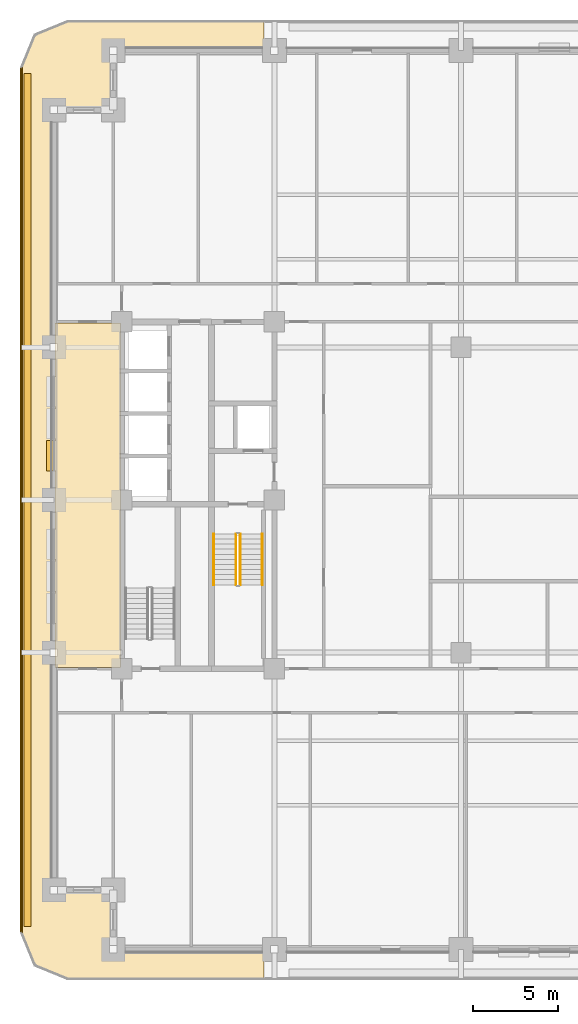
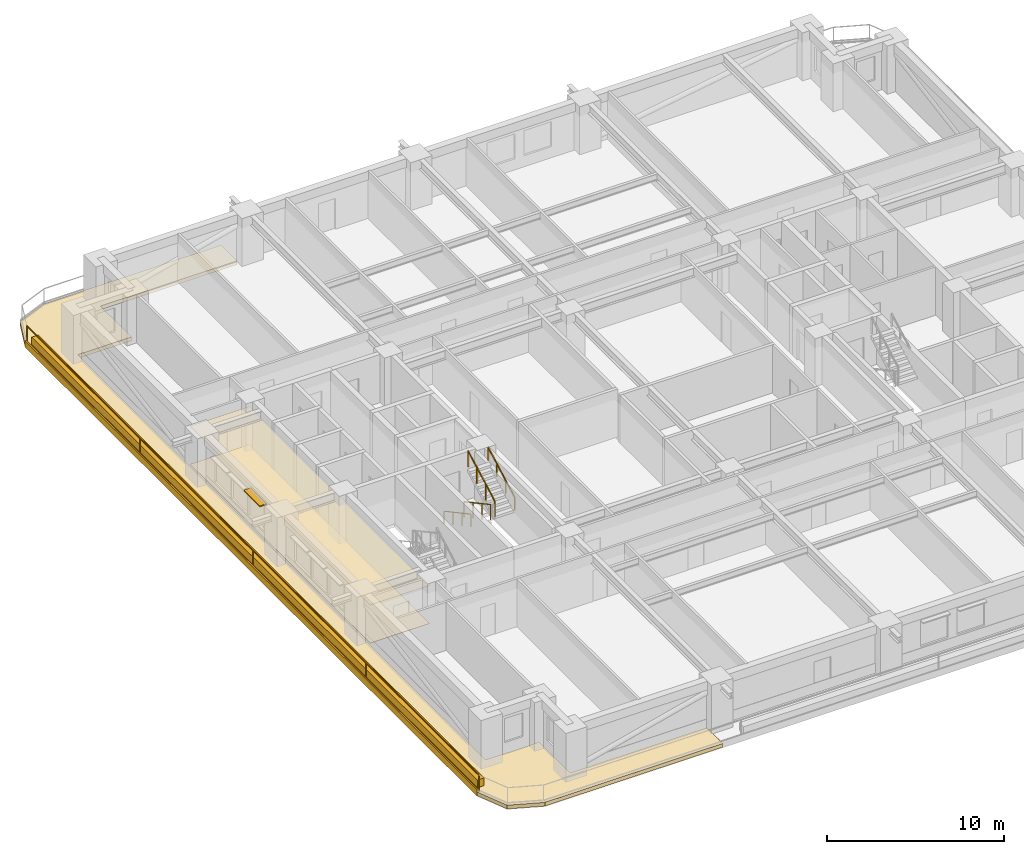
# One storey, part 10 of 15: 5 coverings, 5 railings, 1 shading device.
"""IFC4 building model written with IfcOpenShell, lengths in metres."""

import ifcopenshell
import ifcopenshell.guid

model = None  # the IFC model being written
_history = None  # IfcOwnerHistory: only IFC2X3 demands one
_inside = {}  # id of a spatial element -> (the spatial element, [elements in it])
_under = {}  # id of a project, library or spatial element -> (it, [spatial elements below it])
_declared = {}  # id of a project -> (the project, [libraries it declares])
_typed = {}  # id of a type object -> (the type object, [elements of that type])
_made_of = {}  # id of a material, layer set ... -> (it, [elements and type objects made of it])


def new_model(schema):
    """Start an empty IFC model of exactly this schema.

    Asked for "IFC4X3", IfcOpenShell would pick the latest addendum, in which some entities
    have other attributes; the version numbers below select the first issue.
    IFC2X3 requires an IfcOwnerHistory on every rooted entity: one is made here for all.
    """
    global model, _history
    if schema == "IFC4X3":
        model = ifcopenshell.file(schema_version=(4, 3, 0, 0))
    else:
        model = ifcopenshell.file(schema=schema)
    _inside.clear()
    _under.clear()
    _declared.clear()
    _typed.clear()
    _made_of.clear()
    _history = None
    if model.schema == "IFC2X3":
        org = make("IfcOrganization", Name="unknown")
        user = make(
            "IfcPersonAndOrganization",
            ThePerson=make("IfcPerson", FamilyName="unknown"),
            TheOrganization=org,
        )
        app = make(
            "IfcApplication",
            ApplicationDeveloper=org,
            Version="unknown",
            ApplicationFullName="unknown",
            ApplicationIdentifier="unknown",
        )
        _history = make(
            "IfcOwnerHistory",
            OwningUser=user,
            OwningApplication=app,
            ChangeAction="ADDED",
            CreationDate=0,
        )
    return model


def make(cls, **values):
    """One entity of the class cls with the attributes given. An attribute that is None is left unset."""
    return model.create_entity(
        cls, **{name: value for name, value in values.items() if value is not None}
    )


def rooted(cls, **values):
    """An entity with a GlobalId (a new one), such as an element, a storey or a relation."""
    return make(cls, GlobalId=ifcopenshell.guid.new(), OwnerHistory=_history, **values)


def si_unit(unit_type, name, prefix=None):
    """IfcSIUnit, for example si_unit("LENGTHUNIT", "METRE", prefix="MILLI")."""
    return make("IfcSIUnit", UnitType=unit_type, Prefix=prefix, Name=name)


def assignment(units):
    """IfcUnitAssignment: the units of a project."""
    return None if units is None else make("IfcUnitAssignment", Units=units)


def point(xyz):
    """IfcCartesianPoint."""
    return None if xyz is None else make("IfcCartesianPoint", Coordinates=xyz)


def direction(xyz):
    """IfcDirection."""
    return None if xyz is None else make("IfcDirection", DirectionRatios=xyz)


def frame(location, z_axis=None, x_axis=None):
    """IfcAxis2Placement3D, a coordinate frame: its origin and axes. An axis left out is left unset."""
    return make(
        "IfcAxis2Placement3D",
        Location=point(location),
        Axis=direction(z_axis),
        RefDirection=direction(x_axis),
    )


def frame_2d(location, x_axis=None):
    """IfcAxis2Placement2D, a coordinate frame in the plane: its origin and x axis."""
    return make(
        "IfcAxis2Placement2D", Location=point(location), RefDirection=direction(x_axis)
    )


def origin():
    """The frame at (0, 0, 0) with its axes left unset."""
    return frame((0.0, 0.0, 0.0))


def origin_2d():
    """The frame at (0, 0) in the plane with its x axis left unset."""
    return frame_2d((0.0, 0.0))


def place(relative_to, where):
    """IfcLocalPlacement: puts the frame where relative to a parent placement (None: the world)."""
    return make(
        "IfcLocalPlacement", PlacementRelTo=relative_to, RelativePlacement=where
    )


def context(
    kind, dimensions, precision=None, world=None, true_north=None, identifier=None
):
    """IfcGeometricRepresentationContext, for example the 3D "Model" context."""
    return make(
        "IfcGeometricRepresentationContext",
        ContextIdentifier=identifier,
        ContextType=kind,
        CoordinateSpaceDimension=dimensions,
        Precision=precision,
        WorldCoordinateSystem=world,
        TrueNorth=true_north,
    )


def subcontext(parent, identifier, kind, view, scale=None):
    """IfcGeometricRepresentationSubContext, for example "Body" below "Model"."""
    return make(
        "IfcGeometricRepresentationSubContext",
        ContextIdentifier=identifier,
        ContextType=kind,
        ParentContext=parent,
        TargetScale=scale,
        TargetView=view,
    )


def project(units=None, contexts=None):
    """IfcProject with its units and contexts."""
    return rooted(
        "IfcProject",
        Name="project",
        RepresentationContexts=contexts,
        UnitsInContext=assignment(units),
    )


def spatial(cls, under=None, at=None, **own):
    """A site, building, storey or space (cls), placed at a placement, below another one or the project."""
    s = rooted(cls, ObjectPlacement=at, **own)
    if under is not None:
        _under.setdefault(under.id(), (under, []))[1].append(s)
    return s


def polyline(points):
    """IfcPolyline through the points."""
    return make("IfcPolyline", Points=[point(p) for p in points])


def profile(cls, at=None, kind="AREA", **sizes):
    """A parametric profile (cls). Its sizes go by their IFC names, for example OverallWidth=200.0."""
    return make(cls, ProfileType=kind, Position=at, **sizes)


def rectangle(**sizes):
    """IfcRectangleProfileDef."""
    return profile("IfcRectangleProfileDef", **sizes)


def outline(outer, holes=None, kind="AREA"):
    """IfcArbitraryClosedProfileDef: a profile drawn as a closed curve; with holes, ...WithVoids."""
    if holes is None:
        return make("IfcArbitraryClosedProfileDef", ProfileType=kind, OuterCurve=outer)
    return make(
        "IfcArbitraryProfileDefWithVoids",
        ProfileType=kind,
        OuterCurve=outer,
        InnerCurves=holes,
    )


def extrude(swept, where, along, depth):
    """IfcExtrudedAreaSolid: the profile swept, set in the frame where, extruded along a direction by depth."""
    return make(
        "IfcExtrudedAreaSolid",
        SweptArea=swept,
        Position=where,
        ExtrudedDirection=direction(along),
        Depth=depth,
    )


def shape(context_of_items, identifier, shape_type, items):
    """IfcShapeRepresentation: the items that make up one representation, for example the "Body"."""
    return make(
        "IfcShapeRepresentation",
        ContextOfItems=context_of_items,
        RepresentationIdentifier=identifier,
        RepresentationType=shape_type,
        Items=items,
    )


def material(Name=None, Category=None):
    """IfcMaterial."""
    return make("IfcMaterial", Name=Name, Category=Category)


def layer(
    of_material, thickness, ventilated=None, Name=None, Category=None, Priority=None
):
    """IfcMaterialLayer: one layer of a wall or slab, of a material (None: an air gap)."""
    return make(
        "IfcMaterialLayer",
        Material=of_material,
        LayerThickness=thickness,
        IsVentilated=ventilated,
        Name=Name,
        Category=Category,
        Priority=Priority,
    )


def layer_set(layers, Name=None):
    """IfcMaterialLayerSet."""
    return make("IfcMaterialLayerSet", MaterialLayers=layers, LayerSetName=Name)


def made_of(thing, what):
    """Note that an element or type object is made of a material, layer set ...; save() writes the relation."""
    if what is not None:
        _made_of.setdefault(what.id(), (what, []))[1].append(thing)
    return thing


def type_object(cls, material=None, **own):
    """A type object (cls), such as IfcWallType, which elements share."""
    return made_of(rooted(cls, **own), material)


def element(
    cls,
    number,
    at=None,
    inside=None,
    cuts=None,
    type_object=None,
    material=None,
    context=None,
    identifier="Body",
    shape_type=None,
    held_by="IfcProductDefinitionShape",
    body=None,
    shapes=None,
    **own,
):
    """One element of the class cls, such as IfcWall. Its Tag is "e" and its number.

    at: its placement. inside: the storey or other place that contains it. cuts: it is an
    opening in that element (IfcRelVoidsElement). A single representation is given by context,
    identifier, shape_type and body (its items); several are given by shapes. held_by: the class
    of the entity that holds the representations. save() writes the other relations.
    """
    e = rooted(cls, Tag="e%d" % number, ObjectPlacement=at, **own)
    if body is not None:
        shapes = [shape(context, identifier, shape_type, body)]
    if shapes is not None:
        e.Representation = make(held_by, Representations=shapes)
    if inside is not None:
        _inside.setdefault(inside.id(), (inside, []))[1].append(e)
    if cuts is not None:
        rooted(
            "IfcRelVoidsElement", RelatingBuildingElement=cuts, RelatedOpeningElement=e
        )
    if type_object is not None:
        _typed.setdefault(type_object.id(), (type_object, []))[1].append(e)
    return made_of(e, material)


def aggregate(whole, parts):
    """IfcRelAggregates: a whole, such as a stair, and the parts it consists of."""
    return rooted("IfcRelAggregates", RelatingObject=whole, RelatedObjects=parts)


def save(model, path):
    """Write the relations noted so far, then the file.

    IfcRelAggregates (storeys below a building ...), IfcRelContainedInSpatialStructure (elements
    in a storey), IfcRelDefinesByType, IfcRelAssociatesMaterial and IfcRelDeclares: one each for
    every whole, place, type object, material and project.
    """
    for whole, parts in _under.values():
        aggregate(whole, parts)
    for where, things in _inside.values():
        rooted(
            "IfcRelContainedInSpatialStructure",
            RelatedElements=things,
            RelatingStructure=where,
        )
    for kind, things in _typed.values():
        rooted("IfcRelDefinesByType", RelatedObjects=things, RelatingType=kind)
    for what, things in _made_of.values():
        rooted("IfcRelAssociatesMaterial", RelatedObjects=things, RelatingMaterial=what)
    for by, libraries in _declared.values():
        rooted("IfcRelDeclares", RelatingContext=by, RelatedDefinitions=libraries)
    model.write(path)


model = new_model("IFC4")

# Units and contexts
model_context = context("Model", 3, precision=1e-05, world=origin(), true_north=direction((0.0, 1.0)))
body_context = subcontext(model_context, "Body", "Model", "MODEL_VIEW")
ifc_project = project(units=[si_unit("LENGTHUNIT", "METRE"), si_unit("AREAUNIT", "SQUARE_METRE"), si_unit("VOLUMEUNIT", "CUBIC_METRE"), si_unit("PLANEANGLEUNIT", "RADIAN"), si_unit("MASSUNIT", "GRAM", prefix="KILO")], contexts=[model_context])

# Site, building, storey
site_placement = place(None, origin())
site = spatial("IfcSite", under=ifc_project, at=site_placement, CompositionType="ELEMENT")
building_placement = place(site_placement, origin())
building = spatial("IfcBuilding", under=site, at=building_placement, Name="Zulmaris Gate Convention Tower", CompositionType="ELEMENT")
storey_placement = place(building_placement, frame((0.0, 0.0, 37.909912109375)))
storey = spatial("IfcBuildingStorey", under=building, at=storey_placement, Name="L08", CompositionType="ELEMENT", Elevation=37.909912109375)

# Coverings
ifc_material_1 = material(Name="White Glazed Architectural Precast Concrete C40/50", Category="concrete")
ifc_layer_1 = layer(ifc_material_1, 0.239990234375, Name="White Glazed Architectural Precast Concrete C40/50")
ifc_layer_set_1 = layer_set([ifc_layer_1], Name="White Glazed Architectural Precast Concrete C40/50")
covering_type_1 = type_object("IfcCoveringType", Name="CLAD-TRAY-DECK", PredefinedType="CLADDING", material=ifc_layer_set_1)
covering_1_placement = place(storey_placement, frame((0.0, 0.0, -0.300048828125)))
element("IfcCovering", 1, at=covering_1_placement, inside=storey, type_object=covering_type_1, Name="L08 West Rounded-Fascia Planter Tray Deck", PredefinedType="CLADDING", context=body_context, shape_type="SweptSolid", body=[
    extrude(outline(polyline([(-26.0, 25.5), (-25.179931640625, 27.47998046875), (-23.199951171875, 28.300048828125), (-11.60205078125, 28.300048828125), (-11.60205078125, 26.5), (-20.5, 26.5), (-20.5, 23.0), (-24.0, 23.0), (-24.0, -23.0), (-20.5, -23.0), (-20.5, -26.5), (-11.60205078125, -26.5), (-11.60205078125, -28.300048828125), (-23.199951171875, -28.300048828125), (-25.179931640625, -27.47998046875), (-26.0, -25.5), (-26.0, 25.5)])), origin(), (0.0, 0.0, 1.0), 0.260009765625),
])
ifc_layer_2 = layer(ifc_material_1, 0.080078125, Name="White Glazed Architectural Precast Concrete C40/50")
ifc_layer_set_2 = layer_set([ifc_layer_2], Name="White Glazed Architectural Precast Concrete C40/50")
covering_type_2 = type_object("IfcCoveringType", Name="CLAD-TRAY-FASCIA", PredefinedType="CLADDING", material=ifc_layer_set_2)
covering_2_placement = place(storey_placement, frame((-25.9599609375, 25.5, -0.340087890625), z_axis=(0.0, 0.0, 1.0), x_axis=(0.0, -1.0, 0.0)))
element("IfcCovering", 2, at=covering_2_placement, inside=storey, type_object=covering_type_2, Name="FSC-L08-TR-11", PredefinedType="CLADDING", context=body_context, shape_type="SweptSolid", body=[
    extrude(rectangle(XDim=51.0, YDim=0.080078125, at=frame_2d((25.5, 0.0))), origin(), (0.0, 0.0, 1.0), 0.4599609375),
])
ifc_material_2 = material(Name="Mineral Fibre Acoustic Ceiling Tile")
ifc_layer_3 = layer(ifc_material_2, 0.02001953125, Name="Mineral Fibre Acoustic Ceiling Tile")
ifc_layer_set_3 = layer_set([ifc_layer_3], Name="Mineral Fibre Acoustic Ceiling Tile")
covering_type_3 = type_object("IfcCoveringType", Name="CLG-ACOUSTIC-600", PredefinedType="CEILING", material=ifc_layer_set_3)
covering_3_placement = place(storey_placement, frame((0.0, 0.0, 2.628173828125)))
element("IfcCovering", 3, at=covering_3_placement, inside=storey, type_object=covering_type_3, Name="CLG-L08-R55", PredefinedType="CEILING", context=body_context, shape_type="SweptSolid", body=[
    extrude(outline(polyline([(-23.93994140625, -9.889892578125), (-20.06005859375, -9.889892578125), (-20.06005859375, 10.43994140625), (-23.93994140625, 10.43994140625), (-23.93994140625, -9.889892578125)])), origin(), (0.0, 0.0, 1.0), 0.02001953125),
])
ifc_material_3 = material(Name="Woven Acoustic Wool Carpet Tile")
ifc_layer_4 = layer(ifc_material_3, 0.02001953125, Name="Woven Acoustic Wool Carpet Tile")
ifc_layer_set_4 = layer_set([ifc_layer_4], Name="Woven Acoustic Wool Carpet Tile")
covering_type_4 = type_object("IfcCoveringType", Name="FLR-CARPET-12", PredefinedType="FLOORING", material=ifc_layer_set_4)
covering_4_placement = place(storey_placement, origin())
element("IfcCovering", 4, at=covering_4_placement, inside=storey, type_object=covering_type_4, Name="FLR-L08-R55", PredefinedType="FLOORING", context=body_context, shape_type="SweptSolid", body=[
    extrude(outline(polyline([(-23.93994140625, -9.889892578125), (-20.06005859375, -9.889892578125), (-20.06005859375, 10.43994140625), (-23.93994140625, 10.43994140625), (-23.93994140625, -9.889892578125)])), origin(), (0.0, 0.0, 1.0), 0.02001953125),
])
ifc_material_4 = material(Name="Botanical Green Glazed Precast Concrete C40/50", Category="concrete")
ifc_layer_5 = layer(ifc_material_4, 0.419921875, Name="Botanical Green Glazed Precast Concrete C40/50")
ifc_layer_set_5 = layer_set([ifc_layer_5], Name="Botanical Green Glazed Precast Concrete C40/50")
covering_type_5 = type_object("IfcCoveringType", Name="PLANTER-BOX-200", PredefinedType="CLADDING", material=ifc_layer_set_5)
covering_5_placement = place(storey_placement, frame((0.0, 0.0, -0.0400390625)))
element("IfcCovering", 5, at=covering_5_placement, inside=storey, type_object=covering_type_5, Name="L08 W Full-Length Balcony Tree Planter Trough", PredefinedType="CLADDING", context=body_context, shape_type="SweptSolid", body=[
    extrude(outline(polyline([(-25.760009765625, -25.14990234375), (-25.340087890625, -25.14990234375), (-25.340087890625, 25.14990234375), (-25.760009765625, 25.14990234375), (-25.760009765625, -25.14990234375)])), origin(), (0.0, 0.0, 1.0), 0.52001953125),
])

# Railings
ifc_material_5 = material(Name="Laminated Glass and Stainless Steel", Category="steel")
railing_type_1 = type_object("IfcRailingType", Name="RL-BALC-1150", PredefinedType="BALUSTRADE", material=ifc_material_5)
railing_1_placement = place(storey_placement, frame((-25.8798828125, 25.5, -0.0400390625)))
element("IfcRailing", 6, at=railing_1_placement, inside=storey, type_object=railing_type_1, Name="RL-L08-BALC-W", PredefinedType="BALUSTRADE", context=body_context, shape_type="SweptSolid", body=[
    extrude(rectangle(XDim=0.048095703125, YDim=0.048095703125, at=origin_2d()), frame((0.0, 0.0, 1.1259765625), z_axis=(0.0, -1.0, 0.0), x_axis=(1.0, 0.0, 0.0)), (0.0, 0.0, 1.0), 51.0),
    extrude(rectangle(XDim=0.048095703125, YDim=0.048095703125, at=origin_2d()), frame((0.0, 0.0, 0.02392578125), z_axis=(0.0, -1.0, 0.0), x_axis=(1.0, 0.0, 0.0)), (0.0, 0.0, 1.0), 51.0),
    extrude(rectangle(XDim=0.0419921875, YDim=0.0419921875, at=origin_2d()), origin(), (0.0, 0.0, 1.0), 1.101806640625),
    extrude(rectangle(XDim=0.0419921875, YDim=0.0419921875, at=origin_2d()), frame((0.0, -12.75, 0.0)), (0.0, 0.0, 1.0), 1.101806640625),
    extrude(rectangle(XDim=0.0419921875, YDim=0.0419921875, at=origin_2d()), frame((0.0, -25.5, 0.0)), (0.0, 0.0, 1.0), 1.101806640625),
    extrude(rectangle(XDim=0.0419921875, YDim=0.0419921875, at=origin_2d()), frame((0.0, -38.25, 0.0)), (0.0, 0.0, 1.0), 1.101806640625),
    extrude(rectangle(XDim=0.0419921875, YDim=0.0419921875, at=origin_2d()), frame((0.0, -51.0, 0.0)), (0.0, 0.0, 1.0), 1.101806640625),
])
ifc_material_6 = material(Name="Painted Galvanised Steel", Category="steel")
railing_type_2 = type_object("IfcRailingType", Name="RL-STG-1150", PredefinedType="GUARDRAIL", material=ifc_material_6)
railing_2_placement = place(storey_placement, frame((-13.27001953125, -2.0, 0.162353515625)))
element("IfcRailing", 7, at=railing_2_placement, inside=storey, type_object=railing_type_2, Name="L08 ST-1 stair guard 1", PredefinedType="GUARDRAIL", context=body_context, shape_type="SweptSolid", body=[
    extrude(rectangle(XDim=0.048095703125, YDim=0.048095703125, at=origin_2d()), frame((0.0, 0.0, 1.076171875), z_axis=(0.0, -0.8795616155, 0.475784998228), x_axis=(1.0, 0.0, 0.0)), (0.0, 0.0, 1.0), 3.410888671875),
    extrude(rectangle(XDim=0.0419921875, YDim=0.0419921875, at=origin_2d()), origin(), (0.0, 0.0, 1.0), 1.052001953125),
    extrude(rectangle(XDim=0.0419921875, YDim=0.0419921875, at=origin_2d()), frame((0.0, -1.0, 0.541015625)), (0.0, 0.0, 1.0), 1.052001953125),
    extrude(rectangle(XDim=0.0419921875, YDim=0.0419921875, at=origin_2d()), frame((0.0, -2.0, 1.081787109375)), (0.0, 0.0, 1.0), 1.052001953125),
    extrude(rectangle(XDim=0.0419921875, YDim=0.0419921875, at=origin_2d()), frame((0.0, -3.0, 1.622802734375)), (0.0, 0.0, 1.0), 1.052001953125),
])
railing_3_placement = place(storey_placement, frame((-13.010009765625, -5.0, 1.947265625)))
element("IfcRailing", 8, at=railing_3_placement, inside=storey, type_object=railing_type_2, Name="L08 ST-1 stair guard 3", PredefinedType="GUARDRAIL", context=body_context, shape_type="SweptSolid", body=[
    extrude(rectangle(XDim=0.048095703125, YDim=0.048095703125, at=origin_2d()), frame((0.0, 0.0, 1.076171875), z_axis=(0.0, 0.8795616155, 0.475784998228), x_axis=(-1.0, 0.0, 0.0)), (0.0, 0.0, 1.0), 3.410888671875),
    extrude(rectangle(XDim=0.0419921875, YDim=0.0419921875, at=origin_2d()), origin(), (0.0, 0.0, 1.0), 1.052001953125),
    extrude(rectangle(XDim=0.0419921875, YDim=0.0419921875, at=origin_2d()), frame((0.0, 1.0, 0.541015625)), (0.0, 0.0, 1.0), 1.052001953125),
    extrude(rectangle(XDim=0.0419921875, YDim=0.0419921875, at=origin_2d()), frame((0.0, 2.0, 1.081787109375)), (0.0, 0.0, 1.0), 1.052001953125),
    extrude(rectangle(XDim=0.0419921875, YDim=0.0419921875, at=origin_2d()), frame((0.0, 3.0, 1.622802734375)), (0.0, 0.0, 1.0), 1.052001953125),
])
ifc_material_7 = material(Name="Brushed Stainless Steel", Category="steel")
railing_type_3 = type_object("IfcRailingType", Name="RL-STH-900", PredefinedType="HANDRAIL", material=ifc_material_7)
railing_4_placement = place(storey_placement, frame((-14.570068359375, -2.0, 0.162353515625)))
element("IfcRailing", 9, at=railing_4_placement, inside=storey, type_object=railing_type_3, Name="L08 ST-1 stair handrail 1", PredefinedType="HANDRAIL", context=body_context, shape_type="SweptSolid", body=[
    extrude(rectangle(XDim=0.048095703125, YDim=0.048095703125, at=origin_2d()), frame((0.0, 0.0, 0.8759765625), z_axis=(0.0, -0.8795616155, 0.475784998228), x_axis=(1.0, 0.0, 0.0)), (0.0, 0.0, 1.0), 3.410888671875),
    extrude(rectangle(XDim=0.0419921875, YDim=0.0419921875, at=origin_2d()), origin(), (0.0, 0.0, 1.0), 0.851806640625),
    extrude(rectangle(XDim=0.0419921875, YDim=0.0419921875, at=origin_2d()), frame((0.0, -1.0, 0.541015625)), (0.0, 0.0, 1.0), 0.851806640625),
    extrude(rectangle(XDim=0.0419921875, YDim=0.0419921875, at=origin_2d()), frame((0.0, -2.0, 1.081787109375)), (0.0, 0.0, 1.0), 0.851806640625),
    extrude(rectangle(XDim=0.0419921875, YDim=0.0419921875, at=origin_2d()), frame((0.0, -3.0, 1.622802734375)), (0.0, 0.0, 1.0), 0.851806640625),
])
railing_5_placement = place(storey_placement, frame((-11.7099609375, -5.0, 1.947265625)))
element("IfcRailing", 10, at=railing_5_placement, inside=storey, type_object=railing_type_3, Name="L08 ST-1 stair handrail 2", PredefinedType="HANDRAIL", context=body_context, shape_type="SweptSolid", body=[
    extrude(rectangle(XDim=0.048095703125, YDim=0.048095703125, at=origin_2d()), frame((0.0, 0.0, 0.8759765625), z_axis=(0.0, 0.8795616155, 0.475784998228), x_axis=(-1.0, 0.0, 0.0)), (0.0, 0.0, 1.0), 3.410888671875),
    extrude(rectangle(XDim=0.0419921875, YDim=0.0419921875, at=origin_2d()), origin(), (0.0, 0.0, 1.0), 0.851806640625),
    extrude(rectangle(XDim=0.0419921875, YDim=0.0419921875, at=origin_2d()), frame((0.0, 1.0, 0.541015625)), (0.0, 0.0, 1.0), 0.851806640625),
    extrude(rectangle(XDim=0.0419921875, YDim=0.0419921875, at=origin_2d()), frame((0.0, 2.0, 1.081787109375)), (0.0, 0.0, 1.0), 0.851806640625),
    extrude(rectangle(XDim=0.0419921875, YDim=0.0419921875, at=origin_2d()), frame((0.0, 3.0, 1.622802734375)), (0.0, 0.0, 1.0), 0.851806640625),
])

# Shading device
ifc_material_8 = material(Name="Glazed Ceramic Terracotta", Category="masonry")
ifc_layer_6 = layer(ifc_material_8, 0.070068359375, Name="Glazed Ceramic Terracotta")
ifc_layer_set_6 = layer_set([ifc_layer_6], Name="Glazed Ceramic Terracotta")
shading_device_type = type_object("IfcShadingDeviceType", Name="SHD-SUNSHADE-TC", PredefinedType="AWNING", material=ifc_layer_set_6)
shading_device_placement = place(storey_placement, frame((-24.219970703125, 3.514892578125, 2.530029296875), z_axis=(0.0, 0.0, 1.0), x_axis=(0.0, -1.0, 0.0)))
element("IfcShadingDevice", 11, at=shading_device_placement, inside=storey, type_object=shading_device_type, Name="SHD-EW-L08-W-2_0-3", PredefinedType="AWNING", context=body_context, shape_type="SweptSolid", body=[
    extrude(rectangle(XDim=1.7998046875, YDim=0.43994140625, at=frame_2d((0.89990234375, 0.0))), origin(), (0.0, 0.0, 1.0), 0.070068359375),
])

save(model, "model.ifc")
